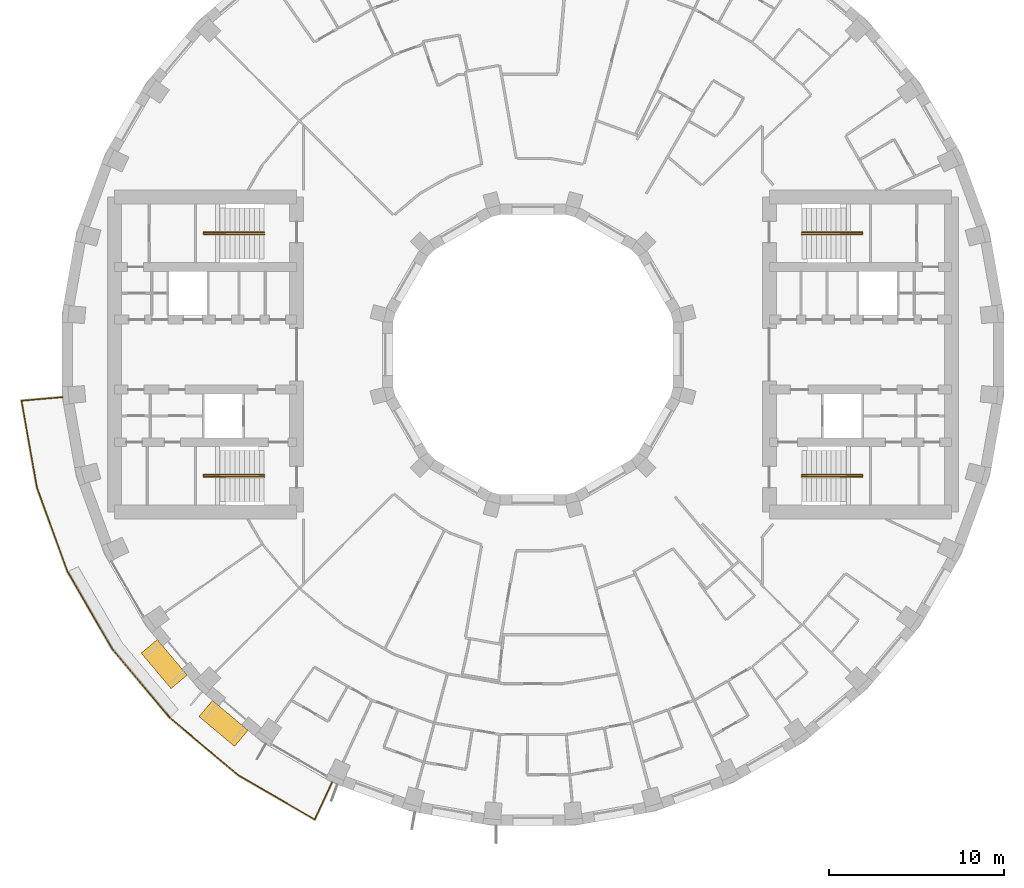
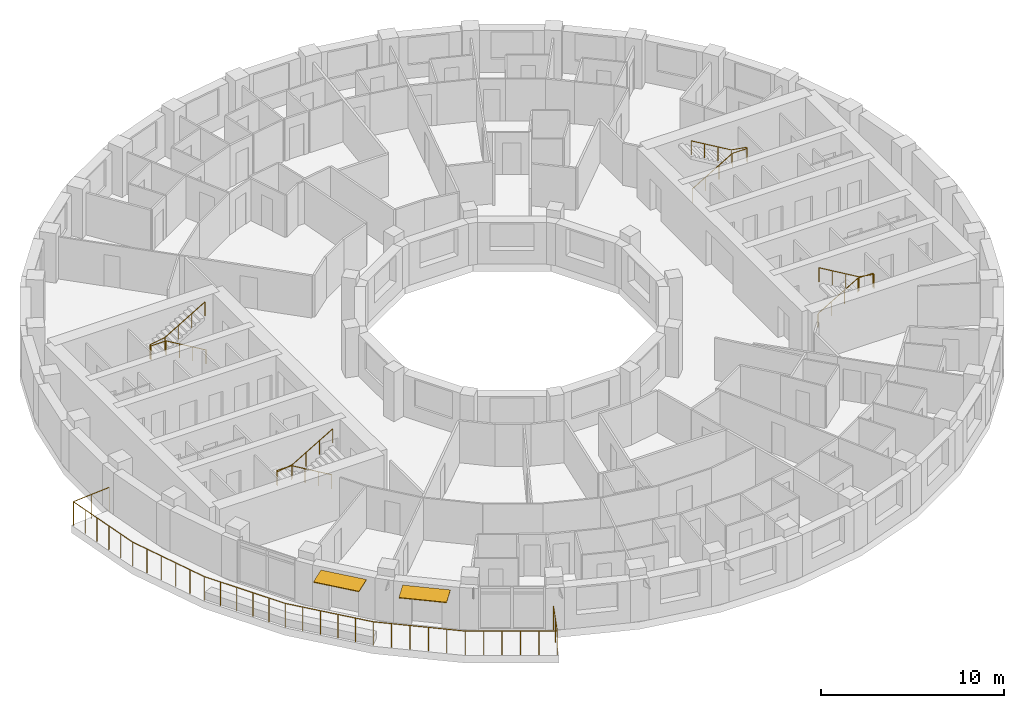
# One storey, part 16 of 16: 5 railings, 2 shading devices.
"""IFC4 building model written with IfcOpenShell, lengths in metres."""

from ifc_helpers import new_model, si_unit, direction, frame, origin, origin_2d, place, context, subcontext, project, spatial, rectangle, circle, extrude, material, layer, layer_set, type_object, element, save


model = new_model("IFC4")

# Units and contexts
model_context = context("Model", 3, precision=1e-05, world=origin(), true_north=direction((0.0, 1.0)))
body_context = subcontext(model_context, "Body", "Model", "MODEL_VIEW")
ifc_project = project(units=[si_unit("LENGTHUNIT", "METRE"), si_unit("AREAUNIT", "SQUARE_METRE"), si_unit("VOLUMEUNIT", "CUBIC_METRE"), si_unit("PLANEANGLEUNIT", "RADIAN"), si_unit("MASSUNIT", "GRAM", prefix="KILO")], contexts=[model_context])

# Site, building, storey
site_placement = place(None, origin())
site = spatial("IfcSite", under=ifc_project, at=site_placement, CompositionType="ELEMENT")
building_placement = place(site_placement, origin())
building = spatial("IfcBuilding", under=site, at=building_placement, Name="Saqina Gate Tower", CompositionType="ELEMENT")
storey_placement = place(building_placement, frame((0.0, 0.0, 128.199951171875)))
storey = spatial("IfcBuildingStorey", under=building, at=storey_placement, Name="L36", CompositionType="ELEMENT", Elevation=128.199951171875)

# Shading devices
ifc_material_1 = material(Name="Aluminium and fabric awning", Category="aluminium")
ifc_layer = layer(ifc_material_1, 0.050048828125)
ifc_layer_set = layer_set([ifc_layer], Name="AW-TERRACE")
shading_device_type = type_object("IfcShadingDeviceType", Name="AW-TERRACE", PredefinedType="AWNING", material=ifc_layer_set)
for number, where, z_axis, x_axis, name in (
    (1, (-21.064208984375, -17.6748046875, 2.52490234375), (0.0, 0.0, 1.0), (0.642787609687, -0.766044443119, 0.0), "Terrace awning L36 facet 22"),
    (2, (-17.6748046875, -21.064208984375, 2.52490234375), (0.0, 0.0, 1.0), (0.766044443119, -0.642787609687, 0.0), "Terrace awning L36 facet 23"),
):
    element("IfcShadingDevice", number, at=place(storey_placement, frame(where, z_axis=z_axis, x_axis=x_axis)), inside=storey, type_object=shading_device_type, Name=name, PredefinedType="AWNING", context=body_context, shape_type="SweptSolid", body=[
        extrude(rectangle(XDim=2.647705078125, YDim=1.199951171875, at=origin_2d()), origin(), (0.0, 0.0, 1.0), 0.050048828125),
    ])

# Railings
ifc_material_2 = material(Name="Stainless steel", Category="steel")
railing_type_1 = type_object("IfcRailingType", Name="RL-TERRACE", PredefinedType="GUARDRAIL", material=ifc_material_2)
railing_1_placement = place(storey_placement, frame((-26.83056640625, -2.427734375, 0.0)))
element("IfcRailing", 3, at=railing_1_placement, inside=storey, type_object=railing_type_1, Name="Terrace guard L36", PredefinedType="GUARDRAIL", context=body_context, shape_type="SweptSolid", body=[
    extrude(circle(Radius=0.02392578125, at=origin_2d()), frame((0.0, 0.0, 1.576171875), z_axis=(-0.996192497087, -0.087180896688, 0.0), x_axis=(0.087180896688, -0.996192497087, 0.0)), (0.0, 0.0, 1.0), 2.388671875),
    extrude(circle(Radius=0.02392578125, at=origin_2d()), frame((-2.379638671875, -0.208251953125, 1.576171875), z_axis=(0.174986307817, -0.984570866965, 0.0), x_axis=(0.984570866965, 0.174986307817, 0.0)), (0.0, 0.0, 1.0), 5.032470703125),
    extrude(circle(Radius=0.02392578125, at=origin_2d()), frame((-1.4990234375, -5.1630859375, 1.576171875), z_axis=(0.342011445423, -0.939695786518, 0.0), x_axis=(0.939695786518, 0.342011445423, 0.0)), (0.0, 0.0, 1.0), 5.112548828125),
    extrude(circle(Radius=0.02392578125, at=origin_2d()), frame((0.24951171875, -9.96728515625, 1.576171875), z_axis=(0.500011827544, -0.866018575041, 0.0), x_axis=(0.866018575041, 0.500011827544, 0.0)), (0.0, 0.0, 1.0), 5.1123046875),
    extrude(circle(Radius=0.02392578125, at=origin_2d()), frame((2.8056640625, -14.39453125, 1.576171875), z_axis=(0.642815711334, -0.766020862158, 0.0), x_axis=(0.766020862158, 0.642815711334, 0.0)), (0.0, 0.0, 1.0), 5.112548828125),
    extrude(circle(Radius=0.02392578125, at=origin_2d()), frame((6.092041015625, -18.310791015625, 1.576171875), z_axis=(0.766020862158, -0.642815711334, 0.0), x_axis=(0.642815711334, 0.766020862158, 0.0)), (0.0, 0.0, 1.0), 5.112548828125),
    extrude(circle(Radius=0.02392578125, at=origin_2d()), frame((10.00830078125, -21.59716796875, 1.576171875), z_axis=(0.86534767014, -0.501172036115, 0.0), x_axis=(0.501172036115, 0.86534767014, 0.0)), (0.0, 0.0, 1.0), 5.03271484375),
    extrude(circle(Radius=0.02392578125, at=origin_2d()), frame((14.36328125, -24.119384765625, 1.576171875), z_axis=(0.422600102855, 0.906316254443, 0.0), x_axis=(-0.906316254443, 0.422600102855, 0.0)), (0.0, 0.0, 1.0), 2.388916015625),
    extrude(circle(Radius=0.02099609375, at=origin_2d()), origin(), (0.0, 0.0, 1.0), 1.552001953125),
    extrude(circle(Radius=0.02099609375, at=origin_2d()), frame((-1.18994140625, -0.10400390625, 0.0)), (0.0, 0.0, 1.0), 1.552001953125),
    extrude(circle(Radius=0.02099609375, at=origin_2d()), frame((-2.379638671875, -0.208251953125, 0.0)), (0.0, 0.0, 1.0), 1.552001953125),
    extrude(circle(Radius=0.02099609375, at=origin_2d()), frame((-2.20361328125, -1.19921875, 0.0)), (0.0, 0.0, 1.0), 1.552001953125),
    extrude(circle(Radius=0.02099609375, at=origin_2d()), frame((-2.02734375, -2.190185546875, 0.0)), (0.0, 0.0, 1.0), 1.552001953125),
    extrude(circle(Radius=0.02099609375, at=origin_2d()), frame((-1.851318359375, -3.18115234375, 0.0)), (0.0, 0.0, 1.0), 1.552001953125),
    extrude(circle(Radius=0.02099609375, at=origin_2d()), frame((-1.675048828125, -4.172119140625, 0.0)), (0.0, 0.0, 1.0), 1.552001953125),
    extrude(circle(Radius=0.02099609375, at=origin_2d()), frame((-1.4990234375, -5.1630859375, 0.0)), (0.0, 0.0, 1.0), 1.552001953125),
    extrude(circle(Radius=0.02099609375, at=origin_2d()), frame((-1.1494140625, -6.1240234375, 0.0)), (0.0, 0.0, 1.0), 1.552001953125),
    extrude(circle(Radius=0.02099609375, at=origin_2d()), frame((-0.799560546875, -7.084716796875, 0.0)), (0.0, 0.0, 1.0), 1.552001953125),
    extrude(circle(Radius=0.02099609375, at=origin_2d()), frame((-0.449951171875, -8.045654296875, 0.0)), (0.0, 0.0, 1.0), 1.552001953125),
    extrude(circle(Radius=0.02099609375, at=origin_2d()), frame((-0.10009765625, -9.00634765625, 0.0)), (0.0, 0.0, 1.0), 1.552001953125),
    extrude(circle(Radius=0.02099609375, at=origin_2d()), frame((0.24951171875, -9.96728515625, 0.0)), (0.0, 0.0, 1.0), 1.552001953125),
    extrude(circle(Radius=0.02099609375, at=origin_2d()), frame((0.7607421875, -10.852783203125, 0.0)), (0.0, 0.0, 1.0), 1.552001953125),
    extrude(circle(Radius=0.02099609375, at=origin_2d()), frame((1.27197265625, -11.73828125, 0.0)), (0.0, 0.0, 1.0), 1.552001953125),
    extrude(circle(Radius=0.02099609375, at=origin_2d()), frame((1.783203125, -12.62353515625, 0.0)), (0.0, 0.0, 1.0), 1.552001953125),
    extrude(circle(Radius=0.02099609375, at=origin_2d()), frame((2.29443359375, -13.509033203125, 0.0)), (0.0, 0.0, 1.0), 1.552001953125),
    extrude(circle(Radius=0.02099609375, at=origin_2d()), frame((2.8056640625, -14.39453125, 0.0)), (0.0, 0.0, 1.0), 1.552001953125),
    extrude(circle(Radius=0.02099609375, at=origin_2d()), frame((3.462890625, -15.177734375, 0.0)), (0.0, 0.0, 1.0), 1.552001953125),
    extrude(circle(Radius=0.02099609375, at=origin_2d()), frame((4.1201171875, -15.9609375, 0.0)), (0.0, 0.0, 1.0), 1.552001953125),
    extrude(circle(Radius=0.02099609375, at=origin_2d()), frame((4.777587890625, -16.744384765625, 0.0)), (0.0, 0.0, 1.0), 1.552001953125),
    extrude(circle(Radius=0.02099609375, at=origin_2d()), frame((5.434814453125, -17.527587890625, 0.0)), (0.0, 0.0, 1.0), 1.552001953125),
    extrude(circle(Radius=0.02099609375, at=origin_2d()), frame((6.092041015625, -18.310791015625, 0.0)), (0.0, 0.0, 1.0), 1.552001953125),
    extrude(circle(Radius=0.02099609375, at=origin_2d()), frame((6.875244140625, -18.968017578125, 0.0)), (0.0, 0.0, 1.0), 1.552001953125),
    extrude(circle(Radius=0.02099609375, at=origin_2d()), frame((7.658447265625, -19.625244140625, 0.0)), (0.0, 0.0, 1.0), 1.552001953125),
    extrude(circle(Radius=0.02099609375, at=origin_2d()), frame((8.44189453125, -20.28271484375, 0.0)), (0.0, 0.0, 1.0), 1.552001953125),
    extrude(circle(Radius=0.02099609375, at=origin_2d()), frame((9.22509765625, -20.93994140625, 0.0)), (0.0, 0.0, 1.0), 1.552001953125),
    extrude(circle(Radius=0.02099609375, at=origin_2d()), frame((10.00830078125, -21.59716796875, 0.0)), (0.0, 0.0, 1.0), 1.552001953125),
    extrude(circle(Radius=0.02099609375, at=origin_2d()), frame((10.87939453125, -22.1015625, 0.0)), (0.0, 0.0, 1.0), 1.552001953125),
    extrude(circle(Radius=0.02099609375, at=origin_2d()), frame((11.750244140625, -22.60595703125, 0.0)), (0.0, 0.0, 1.0), 1.552001953125),
    extrude(circle(Radius=0.02099609375, at=origin_2d()), frame((12.621337890625, -23.110595703125, 0.0)), (0.0, 0.0, 1.0), 1.552001953125),
    extrude(circle(Radius=0.02099609375, at=origin_2d()), frame((13.4921875, -23.614990234375, 0.0)), (0.0, 0.0, 1.0), 1.552001953125),
    extrude(circle(Radius=0.02099609375, at=origin_2d()), frame((14.36328125, -24.119384765625, 0.0)), (0.0, 0.0, 1.0), 1.552001953125),
    extrude(circle(Radius=0.02099609375, at=origin_2d()), frame((14.8681640625, -23.036865234375, 0.0)), (0.0, 0.0, 1.0), 1.552001953125),
    extrude(circle(Radius=0.02099609375, at=origin_2d()), frame((15.372802734375, -21.954345703125, 0.0)), (0.0, 0.0, 1.0), 1.552001953125),
])
ifc_material_3 = material(Name="Stainless steel", Category="steel")
railing_type_2 = type_object("IfcRailingType", Name="STAIR HANDRAIL", PredefinedType="HANDRAIL", material=ifc_material_3)
railing_2_placement = place(storey_placement, frame((15.35009765625, 6.86669921875, 0.1650390625)))
element("IfcRailing", 4, at=railing_2_placement, inside=storey, type_object=railing_type_2, Name="EXIT STAIR 1 HANDRAIL", PredefinedType="HANDRAIL", context=body_context, shape_type="SweptSolid", body=[
    extrude(circle(Radius=0.02392578125, at=origin_2d()), frame((0.0, 0.0, 0.92578125), z_axis=(0.86152411907, 0.0, 0.507716645641), x_axis=(0.0, 1.0, 0.0)), (0.0, 0.0, 1.0), 2.925048828125),
    extrude(circle(Radius=0.02392578125, at=origin_2d()), frame((2.52001953125, 0.0, 2.4111328125), z_axis=(1.0, 0.0, 0.0), x_axis=(0.0, 1.0, 0.0)), (0.0, 0.0, 1.0), 0.949951171875),
    extrude(circle(Radius=0.02392578125, at=origin_2d()), frame((3.469970703125, 0.0, 2.4111328125), z_axis=(0.0, 1.0, 0.0), x_axis=(-1.0, 0.0, 0.0)), (0.0, 0.0, 1.0), 0.11669921875),
    extrude(circle(Radius=0.02392578125, at=origin_2d()), frame((3.469970703125, 0.11669921875, 2.4111328125), z_axis=(-0.985284148366, 0.0, 0.170924389655), x_axis=(0.0, -1.0, 0.0)), (0.0, 0.0, 1.0), 0.964111328125),
    extrude(circle(Radius=0.02392578125, at=origin_2d()), frame((2.52001953125, 0.11669921875, 2.57568359375), z_axis=(-0.86152411907, 0.0, 0.507716645641), x_axis=(0.0, -1.0, 0.0)), (0.0, 0.0, 1.0), 2.925048828125),
    extrude(circle(Radius=0.02099609375, at=origin_2d()), origin(), (0.0, 0.0, 1.0), 0.90185546875),
    extrude(circle(Radius=0.02099609375, at=origin_2d()), frame((0.840087890625, 0.0, 0.4951171875)), (0.0, 0.0, 1.0), 0.90185546875),
    extrude(circle(Radius=0.02099609375, at=origin_2d()), frame((1.679931640625, 0.0, 0.989990234375)), (0.0, 0.0, 1.0), 0.90185546875),
    extrude(circle(Radius=0.02099609375, at=origin_2d()), frame((2.52001953125, 0.0, 1.485107421875)), (0.0, 0.0, 1.0), 0.90185546875),
    extrude(circle(Radius=0.02099609375, at=origin_2d()), frame((3.469970703125, 0.0, 1.485107421875)), (0.0, 0.0, 1.0), 0.90185546875),
    extrude(circle(Radius=0.02099609375, at=origin_2d()), frame((3.469970703125, 0.11669921875, 1.485107421875)), (0.0, 0.0, 1.0), 0.90185546875),
    extrude(circle(Radius=0.02099609375, at=origin_2d()), frame((2.52001953125, 0.11669921875, 1.64990234375)), (0.0, 0.0, 1.0), 0.90185546875),
    extrude(circle(Radius=0.02099609375, at=origin_2d()), frame((1.679931640625, 0.11669921875, 2.14501953125)), (0.0, 0.0, 1.0), 0.90185546875),
    extrude(circle(Radius=0.02099609375, at=origin_2d()), frame((0.840087890625, 0.11669921875, 2.639892578125)), (0.0, 0.0, 1.0), 0.90185546875),
    extrude(circle(Radius=0.02099609375, at=origin_2d()), frame((0.0, 0.11669921875, 3.135009765625)), (0.0, 0.0, 1.0), 0.90185546875),
])
railing_3_placement = place(storey_placement, frame((15.35009765625, -6.86669921875, 0.1650390625)))
element("IfcRailing", 5, at=railing_3_placement, inside=storey, type_object=railing_type_2, Name="EXIT STAIR 2 HANDRAIL", PredefinedType="HANDRAIL", context=body_context, shape_type="SweptSolid", body=[
    extrude(circle(Radius=0.02392578125, at=origin_2d()), frame((0.0, 0.0, 0.92578125), z_axis=(0.86152411907, 0.0, 0.507716645641), x_axis=(0.0, 1.0, 0.0)), (0.0, 0.0, 1.0), 2.925048828125),
    extrude(circle(Radius=0.02392578125, at=origin_2d()), frame((2.52001953125, 0.0, 2.4111328125), z_axis=(1.0, 0.0, 0.0), x_axis=(0.0, 1.0, 0.0)), (0.0, 0.0, 1.0), 0.949951171875),
    extrude(circle(Radius=0.02392578125, at=origin_2d()), frame((3.469970703125, 0.0, 2.4111328125), z_axis=(0.0, -1.0, 0.0), x_axis=(1.0, 0.0, 0.0)), (0.0, 0.0, 1.0), 0.11669921875),
    extrude(circle(Radius=0.02392578125, at=origin_2d()), frame((3.469970703125, -0.11669921875, 2.4111328125), z_axis=(-0.985284148366, 0.0, 0.170924389655), x_axis=(0.0, -1.0, 0.0)), (0.0, 0.0, 1.0), 0.964111328125),
    extrude(circle(Radius=0.02392578125, at=origin_2d()), frame((2.52001953125, -0.11669921875, 2.57568359375), z_axis=(-0.86152411907, 0.0, 0.507716645641), x_axis=(0.0, -1.0, 0.0)), (0.0, 0.0, 1.0), 2.925048828125),
    extrude(circle(Radius=0.02099609375, at=origin_2d()), origin(), (0.0, 0.0, 1.0), 0.90185546875),
    extrude(circle(Radius=0.02099609375, at=origin_2d()), frame((0.840087890625, 0.0, 0.4951171875)), (0.0, 0.0, 1.0), 0.90185546875),
    extrude(circle(Radius=0.02099609375, at=origin_2d()), frame((1.679931640625, 0.0, 0.989990234375)), (0.0, 0.0, 1.0), 0.90185546875),
    extrude(circle(Radius=0.02099609375, at=origin_2d()), frame((2.52001953125, 0.0, 1.485107421875)), (0.0, 0.0, 1.0), 0.90185546875),
    extrude(circle(Radius=0.02099609375, at=origin_2d()), frame((3.469970703125, 0.0, 1.485107421875)), (0.0, 0.0, 1.0), 0.90185546875),
    extrude(circle(Radius=0.02099609375, at=origin_2d()), frame((3.469970703125, -0.11669921875, 1.485107421875)), (0.0, 0.0, 1.0), 0.90185546875),
    extrude(circle(Radius=0.02099609375, at=origin_2d()), frame((2.52001953125, -0.11669921875, 1.64990234375)), (0.0, 0.0, 1.0), 0.90185546875),
    extrude(circle(Radius=0.02099609375, at=origin_2d()), frame((1.679931640625, -0.11669921875, 2.14501953125)), (0.0, 0.0, 1.0), 0.90185546875),
    extrude(circle(Radius=0.02099609375, at=origin_2d()), frame((0.840087890625, -0.11669921875, 2.639892578125)), (0.0, 0.0, 1.0), 0.90185546875),
    extrude(circle(Radius=0.02099609375, at=origin_2d()), frame((0.0, -0.11669921875, 3.135009765625)), (0.0, 0.0, 1.0), 0.90185546875),
])
railing_4_placement = place(storey_placement, frame((-15.35009765625, 6.86669921875, 0.1650390625)))
element("IfcRailing", 6, at=railing_4_placement, inside=storey, type_object=railing_type_2, Name="EXIT STAIR 3 HANDRAIL", PredefinedType="HANDRAIL", context=body_context, shape_type="SweptSolid", body=[
    extrude(circle(Radius=0.02392578125, at=origin_2d()), frame((0.0, 0.0, 0.92578125), z_axis=(-0.86152411907, 0.0, 0.507716645641), x_axis=(0.0, -1.0, 0.0)), (0.0, 0.0, 1.0), 2.925048828125),
    extrude(circle(Radius=0.02392578125, at=origin_2d()), frame((-2.52001953125, 0.0, 2.4111328125), z_axis=(-1.0, 0.0, 0.0), x_axis=(0.0, -1.0, 0.0)), (0.0, 0.0, 1.0), 0.949951171875),
    extrude(circle(Radius=0.02392578125, at=origin_2d()), frame((-3.469970703125, 0.0, 2.4111328125), z_axis=(0.0, 1.0, 0.0), x_axis=(-1.0, 0.0, 0.0)), (0.0, 0.0, 1.0), 0.11669921875),
    extrude(circle(Radius=0.02392578125, at=origin_2d()), frame((-3.469970703125, 0.11669921875, 2.4111328125), z_axis=(0.985284148366, 0.0, 0.170924389655), x_axis=(0.0, 1.0, 0.0)), (0.0, 0.0, 1.0), 0.964111328125),
    extrude(circle(Radius=0.02392578125, at=origin_2d()), frame((-2.52001953125, 0.11669921875, 2.57568359375), z_axis=(0.86152411907, 0.0, 0.507716645641), x_axis=(0.0, 1.0, 0.0)), (0.0, 0.0, 1.0), 2.925048828125),
    extrude(circle(Radius=0.02099609375, at=origin_2d()), origin(), (0.0, 0.0, 1.0), 0.90185546875),
    extrude(circle(Radius=0.02099609375, at=origin_2d()), frame((-0.840087890625, 0.0, 0.4951171875)), (0.0, 0.0, 1.0), 0.90185546875),
    extrude(circle(Radius=0.02099609375, at=origin_2d()), frame((-1.679931640625, 0.0, 0.989990234375)), (0.0, 0.0, 1.0), 0.90185546875),
    extrude(circle(Radius=0.02099609375, at=origin_2d()), frame((-2.52001953125, 0.0, 1.485107421875)), (0.0, 0.0, 1.0), 0.90185546875),
    extrude(circle(Radius=0.02099609375, at=origin_2d()), frame((-3.469970703125, 0.0, 1.485107421875)), (0.0, 0.0, 1.0), 0.90185546875),
    extrude(circle(Radius=0.02099609375, at=origin_2d()), frame((-3.469970703125, 0.11669921875, 1.485107421875)), (0.0, 0.0, 1.0), 0.90185546875),
    extrude(circle(Radius=0.02099609375, at=origin_2d()), frame((-2.52001953125, 0.11669921875, 1.64990234375)), (0.0, 0.0, 1.0), 0.90185546875),
    extrude(circle(Radius=0.02099609375, at=origin_2d()), frame((-1.679931640625, 0.11669921875, 2.14501953125)), (0.0, 0.0, 1.0), 0.90185546875),
    extrude(circle(Radius=0.02099609375, at=origin_2d()), frame((-0.840087890625, 0.11669921875, 2.639892578125)), (0.0, 0.0, 1.0), 0.90185546875),
    extrude(circle(Radius=0.02099609375, at=origin_2d()), frame((0.0, 0.11669921875, 3.135009765625)), (0.0, 0.0, 1.0), 0.90185546875),
])
railing_5_placement = place(storey_placement, frame((-15.35009765625, -6.86669921875, 0.1650390625)))
element("IfcRailing", 7, at=railing_5_placement, inside=storey, type_object=railing_type_2, Name="EXIT STAIR 4 HANDRAIL", PredefinedType="HANDRAIL", context=body_context, shape_type="SweptSolid", body=[
    extrude(circle(Radius=0.02392578125, at=origin_2d()), frame((0.0, 0.0, 0.92578125), z_axis=(-0.86152411907, 0.0, 0.507716645641), x_axis=(0.0, -1.0, 0.0)), (0.0, 0.0, 1.0), 2.925048828125),
    extrude(circle(Radius=0.02392578125, at=origin_2d()), frame((-2.52001953125, 0.0, 2.4111328125), z_axis=(-1.0, 0.0, 0.0), x_axis=(0.0, -1.0, 0.0)), (0.0, 0.0, 1.0), 0.949951171875),
    extrude(circle(Radius=0.02392578125, at=origin_2d()), frame((-3.469970703125, 0.0, 2.4111328125), z_axis=(0.0, -1.0, 0.0), x_axis=(1.0, 0.0, 0.0)), (0.0, 0.0, 1.0), 0.11669921875),
    extrude(circle(Radius=0.02392578125, at=origin_2d()), frame((-3.469970703125, -0.11669921875, 2.4111328125), z_axis=(0.985284148366, 0.0, 0.170924389655), x_axis=(0.0, 1.0, 0.0)), (0.0, 0.0, 1.0), 0.964111328125),
    extrude(circle(Radius=0.02392578125, at=origin_2d()), frame((-2.52001953125, -0.11669921875, 2.57568359375), z_axis=(0.86152411907, 0.0, 0.507716645641), x_axis=(0.0, 1.0, 0.0)), (0.0, 0.0, 1.0), 2.925048828125),
    extrude(circle(Radius=0.02099609375, at=origin_2d()), origin(), (0.0, 0.0, 1.0), 0.90185546875),
    extrude(circle(Radius=0.02099609375, at=origin_2d()), frame((-0.840087890625, 0.0, 0.4951171875)), (0.0, 0.0, 1.0), 0.90185546875),
    extrude(circle(Radius=0.02099609375, at=origin_2d()), frame((-1.679931640625, 0.0, 0.989990234375)), (0.0, 0.0, 1.0), 0.90185546875),
    extrude(circle(Radius=0.02099609375, at=origin_2d()), frame((-2.52001953125, 0.0, 1.485107421875)), (0.0, 0.0, 1.0), 0.90185546875),
    extrude(circle(Radius=0.02099609375, at=origin_2d()), frame((-3.469970703125, 0.0, 1.485107421875)), (0.0, 0.0, 1.0), 0.90185546875),
    extrude(circle(Radius=0.02099609375, at=origin_2d()), frame((-3.469970703125, -0.11669921875, 1.485107421875)), (0.0, 0.0, 1.0), 0.90185546875),
    extrude(circle(Radius=0.02099609375, at=origin_2d()), frame((-2.52001953125, -0.11669921875, 1.64990234375)), (0.0, 0.0, 1.0), 0.90185546875),
    extrude(circle(Radius=0.02099609375, at=origin_2d()), frame((-1.679931640625, -0.11669921875, 2.14501953125)), (0.0, 0.0, 1.0), 0.90185546875),
    extrude(circle(Radius=0.02099609375, at=origin_2d()), frame((-0.840087890625, -0.11669921875, 2.639892578125)), (0.0, 0.0, 1.0), 0.90185546875),
    extrude(circle(Radius=0.02099609375, at=origin_2d()), frame((0.0, -0.11669921875, 3.135009765625)), (0.0, 0.0, 1.0), 0.90185546875),
])

save(model, "model.ifc")
